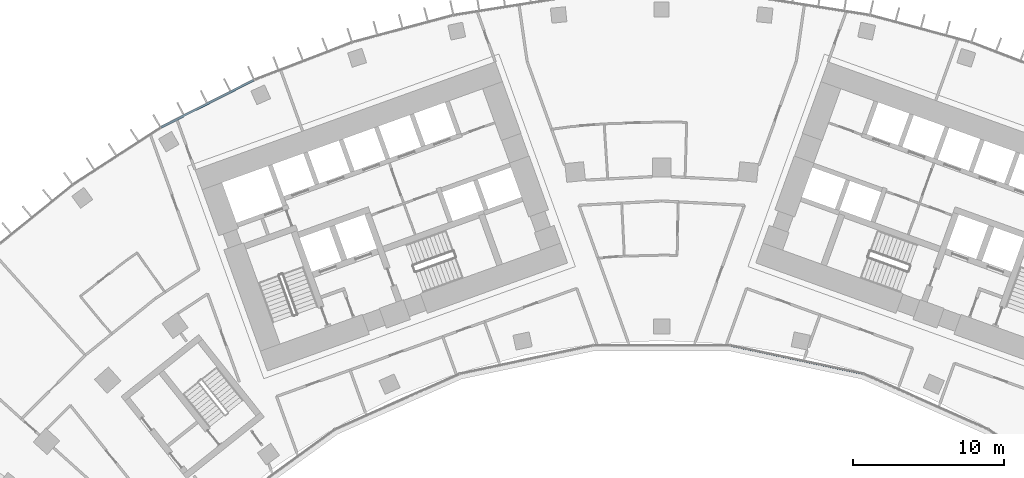
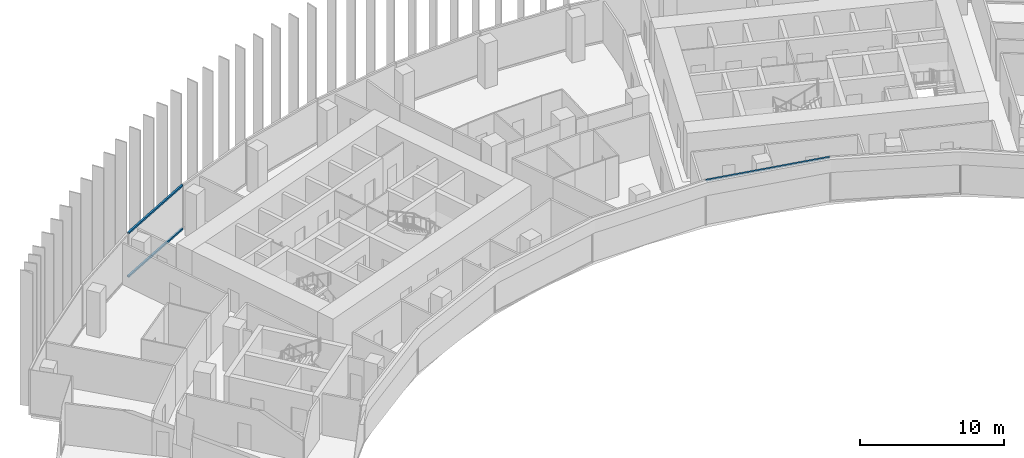
# One storey, part 6 of 23: 3 members, 2 elements without a shape of their own.
"""IFC4 building model written with IfcOpenShell, lengths in metres."""

from ifc_helpers import new_model, si_unit, direction, frame, origin, origin_2d, place, context, subcontext, project, spatial, rectangle, extrude, material, layer, layer_set, material_profile, profile_set, type_object, element, aggregate, save


model = new_model("IFC4")

# Units and contexts
model_context = context("Model", 3, precision=1e-05, world=origin(), true_north=direction((0.0, 1.0)))
body_context = subcontext(model_context, "Body", "Model", "MODEL_VIEW")
ifc_project = project(units=[si_unit("LENGTHUNIT", "METRE"), si_unit("AREAUNIT", "SQUARE_METRE"), si_unit("VOLUMEUNIT", "CUBIC_METRE"), si_unit("PLANEANGLEUNIT", "RADIAN"), si_unit("MASSUNIT", "GRAM", prefix="KILO")], contexts=[model_context])

# Site, building, storey
site_placement = place(None, origin())
site = spatial("IfcSite", under=ifc_project, at=site_placement, CompositionType="ELEMENT")
building_placement = place(site_placement, origin())
building = spatial("IfcBuilding", under=site, at=building_placement, Name="Stone Belt Terrace Tower", CompositionType="ELEMENT")
storey_placement = place(building_placement, frame((0.0, 0.0, 166.800048828125)))
storey = spatial("IfcBuildingStorey", under=building, at=storey_placement, Name="L40", CompositionType="ELEMENT", Elevation=166.800048828125)

# Curtain wall, members
ifc_material = material(Name="Aluminium 6063-T6 anodised frame", Category="aluminium")
ifc_layer_1 = layer(ifc_material, 0.14990234375)
ifc_layer_set_1 = layer_set([ifc_layer_1], Name="CW-A unitised convex-face curtain wall")
curtain_wall_type_1 = type_object("IfcCurtainWallType", Name="CW-A unitised convex-face curtain wall", PredefinedType="NOTDEFINED", material=ifc_layer_set_1)
curtain_wall_1_placement = place(storey_placement, origin())
curtain_wall_1 = element("IfcCurtainWall", 1, at=curtain_wall_1_placement, inside=storey, type_object=curtain_wall_type_1, Name="CW-A convex face L40", PredefinedType="NOTDEFINED")
ifc_material_profile_1 = material_profile(ifc_material, rectangle(XDim=0.14990234375, YDim=0.139892578125, at=origin_2d()), Name="Aluminium 6063-T6 150x140")
ifc_profile_set_1 = profile_set([ifc_material_profile_1], Name="Aluminium 6063-T6 anodised frame")
member_type_1 = type_object("IfcMemberType", Name="CW-A transom 140 x 150", PredefinedType="USERDEFINED", material=ifc_profile_set_1)
member_1_placement = place(storey_placement, frame((-27.108642578125, 60.803955078125, 0.070068359375), z_axis=(-0.891012226264, -0.453979308613, 0.0), x_axis=(0.453979308613, -0.891012226264, 0.0)))
member_1 = element("IfcMember", 2, at=member_1_placement, type_object=member_type_1, Name="CW-A transom 13.1", ObjectType="TRANSOM", PredefinedType="USERDEFINED", context=body_context, shape_type="SweptSolid", body=[
    extrude(rectangle(XDim=0.14990234375, YDim=0.139892578125, at=origin_2d()), origin(), (0.0, 0.0, 1.0), 6.90087890625),
])
member_2_placement = place(storey_placement, frame((-27.108642578125, 60.803955078125, 3.72998046875), z_axis=(-0.891012226264, -0.453979308613, 0.0), x_axis=(0.453979308613, -0.891012226264, 0.0)))
member_2 = element("IfcMember", 3, at=member_2_placement, type_object=member_type_1, Name="CW-A transom 13.2", ObjectType="TRANSOM", PredefinedType="USERDEFINED", context=body_context, shape_type="SweptSolid", body=[
    extrude(rectangle(XDim=0.14990234375, YDim=0.139892578125, at=origin_2d()), origin(), (0.0, 0.0, 1.0), 6.90087890625),
])
aggregate(curtain_wall_1, [member_1, member_2])

# Curtain wall, member
ifc_layer_2 = layer(ifc_material, 0.14990234375)
ifc_layer_set_2 = layer_set([ifc_layer_2], Name="CW-B unitised concave-face curtain wall")
curtain_wall_type_2 = type_object("IfcCurtainWallType", Name="CW-B unitised concave-face curtain wall", PredefinedType="NOTDEFINED", material=ifc_layer_set_2)
curtain_wall_2_placement = place(storey_placement, origin())
curtain_wall_2 = element("IfcCurtainWall", 4, at=curtain_wall_2_placement, inside=storey, type_object=curtain_wall_type_2, Name="CW-B concave face L40", PredefinedType="NOTDEFINED")
ifc_material_profile_2 = material_profile(ifc_material, rectangle(XDim=0.14990234375, YDim=0.1201171875, at=origin_2d()), Name="Aluminium 6063-T6 150x120")
ifc_profile_set_2 = profile_set([ifc_material_profile_2], Name="Aluminium 6063-T6 anodised frame")
member_type_2 = type_object("IfcMemberType", Name="CW-B transom 120 x 150", PredefinedType="USERDEFINED", material=ifc_profile_set_2)
member_3_placement = place(storey_placement, frame((4.571044921875, 43.179931640625, 3.739990234375), z_axis=(0.9781499003, -0.207900871914, 0.0), x_axis=(0.207900871914, 0.9781499003, 0.0)))
member_3 = element("IfcMember", 5, at=member_3_placement, type_object=member_type_2, Name="CW-B transom 6.1", ObjectType="TRANSOM", PredefinedType="USERDEFINED", context=body_context, shape_type="SweptSolid", body=[
    extrude(rectangle(XDim=0.14990234375, YDim=0.1201171875, at=origin_2d()), origin(), (0.0, 0.0, 1.0), 9.012939453125),
])
aggregate(curtain_wall_2, [member_3])

save(model, "model.ifc")
